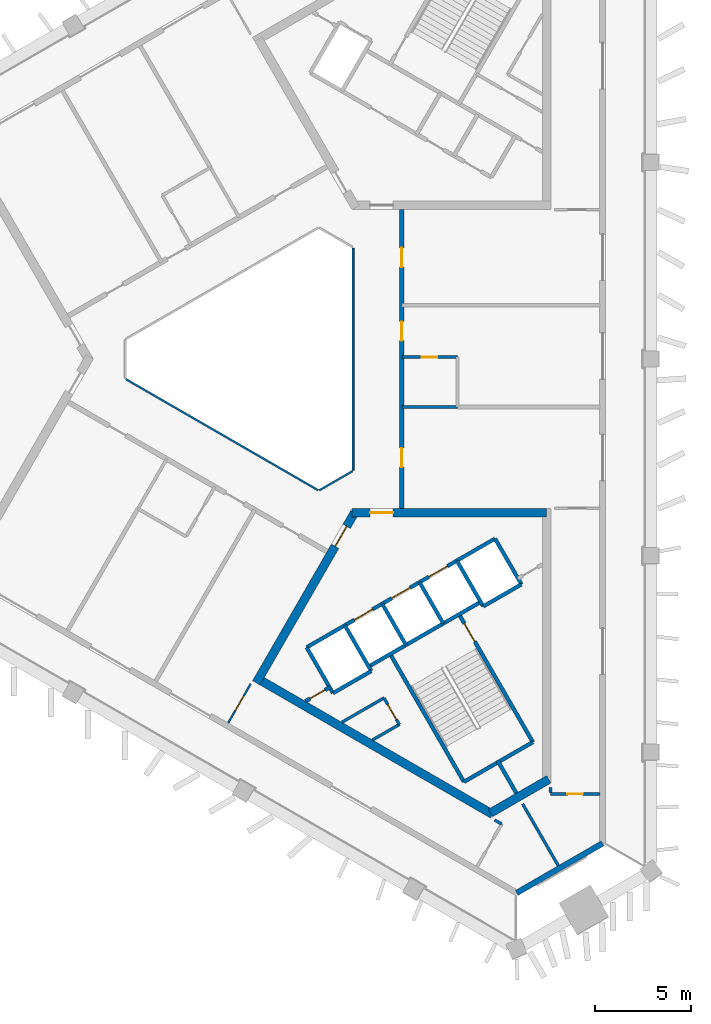
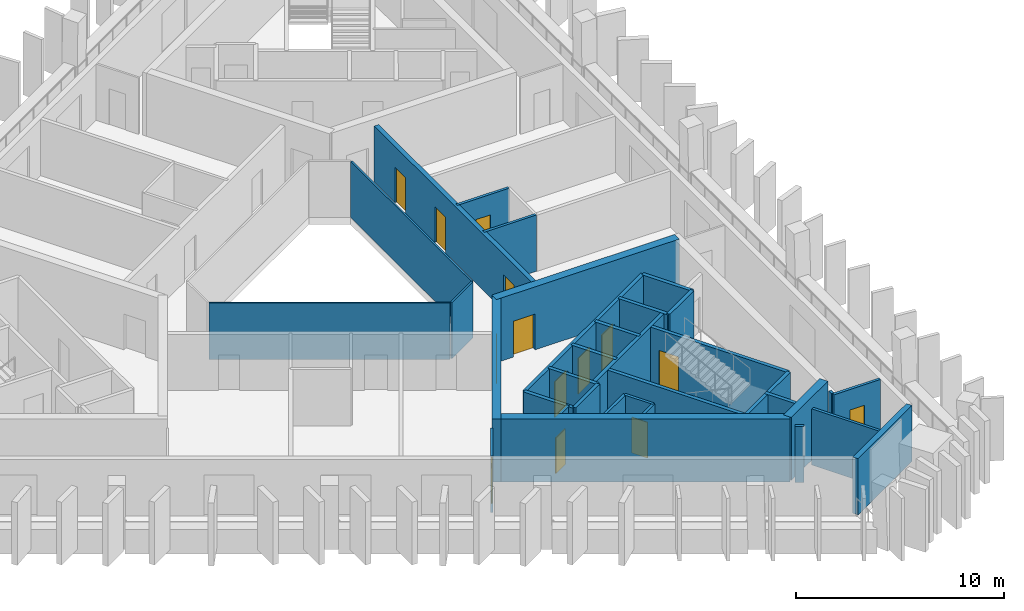
# One storey, part 3 of 9: 34 walls, 14 doors, 14 openings.
"""IFC4 building model written with IfcOpenShell, lengths in metres."""

from ifc_helpers import new_model, si_unit, direction, frame, frame_2d, origin, place, context, subcontext, project, spatial, rectangle, extrude, material, layer, layer_set, type_object, element, fill, save


model = new_model("IFC4")

# Units and contexts
model_context = context("Model", 3, precision=1e-05, world=origin(), true_north=direction((0.0, 1.0)))
body_context = subcontext(model_context, "Body", "Model", "MODEL_VIEW")
ifc_project = project(units=[si_unit("LENGTHUNIT", "METRE"), si_unit("AREAUNIT", "SQUARE_METRE"), si_unit("VOLUMEUNIT", "CUBIC_METRE"), si_unit("PLANEANGLEUNIT", "RADIAN"), si_unit("MASSUNIT", "GRAM", prefix="KILO")], contexts=[model_context])

# Site, building, storey
site_placement = place(None, origin())
site = spatial("IfcSite", under=ifc_project, at=site_placement, CompositionType="ELEMENT")
building_placement = place(site_placement, origin())
building = spatial("IfcBuilding", under=site, at=building_placement, Name="Jabali Bay Hotel Tower and Convention Centre", CompositionType="ELEMENT")
storey_placement = place(building_placement, frame((0.0, 0.0, 224.300048828125)))
storey = spatial("IfcBuildingStorey", under=building, at=storey_placement, Name="L55", CompositionType="ELEMENT", Elevation=224.300048828125)

# Walls
ifc_material_1 = material(Name="Fire-resistant glazing", Category="glass")
ifc_layer_1 = layer(ifc_material_1, 0.10009765625)
ifc_layer_set_1 = layer_set([ifc_layer_1], Name="Fire-resistant glazing")
wall_type_1 = type_object("IfcWallType", Name="Atrium glazed screen 100", PredefinedType="PARTITIONING", material=ifc_layer_set_1)
for number, where, z_axis, x_axis, name in (
    (1, (79.56005859375, 74.205810546875, 0.0), (0.0, 0.0, 1.0), (0.0, 1.0, 0.0), "Atrium screen 1 L55"),
    (2, (67.7021484375, 78.947998046875, 0.0), (0.0, 0.0, 1.0), (0.866026658274, -0.499997827154, 0.0), "Atrium screen 5 L55"),
):
    element("IfcWall", number, at=place(storey_placement, frame(where, z_axis=z_axis, x_axis=x_axis)), inside=storey, type_object=wall_type_1, Name=name, PredefinedType="PARTITIONING", context=body_context, shape_type="SweptSolid", body=[
        extrude(rectangle(XDim=11.58837890625, YDim=0.10009765625, at=frame_2d((5.794189453125, 0.0))), origin(), (0.0, 0.0, 1.0), 3.300048828125),
    ])
wall_1_placement = place(storey_placement, frame((77.7978515625, 73.15380859375, 0.0), z_axis=(0.0, 0.0, 1.0), x_axis=(0.866041268327, 0.499972520799, 0.0)))
element("IfcWall", 3, at=wall_1_placement, inside=storey, type_object=wall_type_1, Name="Atrium screen 6 L55", PredefinedType="PARTITIONING", context=body_context, shape_type="SweptSolid", body=[
    extrude(rectangle(XDim=2.0, YDim=0.10009765625, at=frame_2d((1.0, 0.0))), origin(), (0.0, 0.0, 1.0), 3.300048828125),
])
ifc_material_2 = material(Name="Concrete C40", Category="concrete")
ifc_layer_2 = layer(ifc_material_2, 0.199951171875)
ifc_layer_set_2 = layer_set([ifc_layer_2], Name="Concrete C40")
wall_type_2 = type_object("IfcWallType", Name="Core partition wall 200", PredefinedType="PARTITIONING", material=ifc_layer_set_2)
wall_2_placement = place(storey_placement, frame((87.090087890625, 59.0595703125, 0.0), z_axis=(0.0, 0.0, 1.0), x_axis=(0.500011643316, -0.866018681408, 0.0)))
element("IfcWall", 4, at=wall_2_placement, inside=storey, type_object=wall_type_2, Name="Core wall 2.5 L55", PredefinedType="PARTITIONING", context=body_context, shape_type="SweptSolid", body=[
    extrude(rectangle(XDim=1.97314453125, YDim=0.199951171875, at=frame_2d((0.986572265625, 0.0))), origin(), (0.0, 0.0, 1.0), 3.300048828125),
])

# Wall, opening, door
wall_3_placement = place(storey_placement, frame((77.070068359375, 62.142578125, 0.0), z_axis=(0.0, 0.0, 1.0), x_axis=(0.866013036001, 0.500021421018, 0.0)))
wall_3 = element("IfcWall", 5, at=wall_3_placement, inside=storey, type_object=wall_type_2, Name="Core wall 2.11 L55", PredefinedType="PARTITIONING", context=body_context, shape_type="SweptSolid", body=[
    extrude(rectangle(XDim=1.4609375, YDim=0.199951171875, at=frame_2d((0.73046875, 0.0))), origin(), (0.0, 0.0, 1.0), 3.300048828125),
])
opening_1_placement = place(wall_3_placement, frame((0.280517578125, 0.0, 0.0)))
opening_1 = element("IfcOpeningElement", 6, at=opening_1_placement, cuts=wall_3, Name="Opening D1207", PredefinedType="OPENING", context=body_context, shape_type="SweptSolid", body=[
    extrude(rectangle(XDim=0.89990234375, YDim=2.10009765625, at=frame_2d((0.449951171875, 1.050048828125))), frame((0.0, 0.1103515625, 0.0), z_axis=(0.0, -1.0, 0.0), x_axis=(1.0, 0.0, 0.0)), (0.0, 0.0, 1.0), 0.220947265625),
])
ifc_material_3 = material(Name="Fire-rated steel door", Category="steel")
door_type_1 = type_object("IfcDoorType", Name="Vestibule fire door 900 x 2100", OperationType="NOTDEFINED", PredefinedType="NOTDEFINED", material=ifc_material_3)
door_1_placement = place(opening_1_placement, origin())
door_1 = element("IfcDoor", 7, at=door_1_placement, inside=storey, type_object=door_type_1, Name="Vestibule fire door D1207", OperationType="SINGLE_SWING_LEFT", OverallHeight=2.10009765625, OverallWidth=0.89990234375, PredefinedType="NOTDEFINED", context=body_context, shape_type="SweptSolid", body=[
    extrude(rectangle(XDim=0.89990234375, YDim=2.10009765625, at=frame_2d((0.449951171875, 1.050048828125))), frame((0.0, 0.02490234375, 0.0), z_axis=(0.0, -1.0, 0.0), x_axis=(1.0, 0.0, 0.0)), (0.0, 0.0, 1.0), 0.050048828125),
])
fill(opening_1, door_1)

ifc_material_4 = material(Name="Fire-rated board partition")
ifc_layer_3 = layer(ifc_material_4, 0.14990234375)
ifc_layer_set_3 = layer_set([ifc_layer_3], Name="Fire-rated board partition")
wall_type_3 = type_object("IfcWallType", Name="Core room partition 150", PredefinedType="PARTITIONING", material=ifc_layer_set_3)
wall_4_placement = place(storey_placement, frame((81.1689453125, 62.315185546875, 0.0), z_axis=(0.0, 0.0, 1.0), x_axis=(0.499995408039, -0.866028054938, 0.0)))
wall_4 = element("IfcWall", 8, at=wall_4_placement, inside=storey, type_object=wall_type_3, Name="Core wall 2.1 L55", PredefinedType="PARTITIONING", context=body_context, shape_type="SweptSolid", body=[
    extrude(rectangle(XDim=1.60009765625, YDim=0.14990234375, at=frame_2d((0.800048828125, 0.0))), origin(), (0.0, 0.0, 1.0), 3.300048828125),
])
opening_2_placement = place(wall_4_placement, frame((0.387451171875, 0.0, 0.0)))
opening_2 = element("IfcOpeningElement", 9, at=opening_2_placement, cuts=wall_4, Name="Opening D1209", PredefinedType="OPENING", context=body_context, shape_type="SweptSolid", body=[
    extrude(rectangle(XDim=0.89990234375, YDim=2.10009765625, at=frame_2d((0.449951171875, 1.050048828125))), frame((0.0, 0.08544921875, 0.0), z_axis=(0.0, -1.0, 0.0), x_axis=(1.0, 0.0, 0.0)), (0.0, 0.0, 1.0), 0.1708984375),
])
door_type_2 = type_object("IfcDoorType", Name="Core room door 900 x 2100", OperationType="NOTDEFINED", PredefinedType="NOTDEFINED", material=ifc_material_3)
door_2_placement = place(opening_2_placement, origin())
door_2 = element("IfcDoor", 10, at=door_2_placement, inside=storey, type_object=door_type_2, Name="Core room door D1209", OperationType="SINGLE_SWING_LEFT", OverallHeight=2.10009765625, OverallWidth=0.89990234375, PredefinedType="NOTDEFINED", context=body_context, shape_type="SweptSolid", body=[
    extrude(rectangle(XDim=0.89990234375, YDim=2.10009765625, at=frame_2d((0.449951171875, 1.050048828125))), frame((0.0, 0.02490234375, 0.0), z_axis=(0.0, -1.0, 0.0), x_axis=(1.0, 0.0, 0.0)), (0.0, 0.0, 1.0), 0.050048828125),
])
fill(opening_2, door_2)

# Walls
wall_5_placement = place(storey_placement, frame((78.969970703125, 61.045654296875, 0.0), z_axis=(0.0, 0.0, 1.0), x_axis=(0.866033475577, 0.499986018985, 0.0)))
element("IfcWall", 11, at=wall_5_placement, inside=storey, type_object=wall_type_3, Name="Core wall 2.16 L55", PredefinedType="PARTITIONING", context=body_context, shape_type="SweptSolid", body=[
    extrude(rectangle(XDim=2.5390625, YDim=0.14990234375, at=frame_2d((1.26953125, 0.0))), origin(), (0.0, 0.0, 1.0), 3.300048828125),
])
wall_6_placement = place(storey_placement, frame((80.570068359375, 60.121826171875, 0.0), z_axis=(0.0, 0.0, 1.0), x_axis=(0.866039608017, 0.49997539674, 0.0)))
element("IfcWall", 12, at=wall_6_placement, inside=storey, type_object=wall_type_3, Name="Core wall 2.17 L55", PredefinedType="PARTITIONING", context=body_context, shape_type="SweptSolid", body=[
    extrude(rectangle(XDim=1.615234375, YDim=0.14990234375, at=frame_2d((0.8076171875, 0.0))), origin(), (0.0, 0.0, 1.0), 3.300048828125),
])
ifc_layer_4 = layer(ifc_material_2, 0.199951171875)
ifc_layer_set_4 = layer_set([ifc_layer_4], Name="Concrete C40")
wall_type_4 = type_object("IfcWallType", Name="Core stair wall 200", PredefinedType="SOLIDWALL", material=ifc_layer_set_4)
for number, where, z_axis, x_axis, name in (
    (13, (77.13525390625, 64.95166015625, 0.0), (0.0, 0.0, 1.0), (0.499996545922, -0.866027397988, 0.0), "Core wall 2.0 L55"),
    (14, (79.127197265625, 66.1015625, 0.0), (0.0, 0.0, 1.0), (0.499996545922, -0.866027397988, 0.0), "Core wall 2.2 L55"),
):
    element("IfcWall", number, at=place(storey_placement, frame(where, z_axis=z_axis, x_axis=x_axis)), inside=storey, type_object=wall_type_4, Name=name, PredefinedType="SOLIDWALL", context=body_context, shape_type="SweptSolid", body=[
        extrude(rectangle(XDim=2.75, YDim=0.199951171875, at=frame_2d((1.375, 0.0))), origin(), (0.0, 0.0, 1.0), 3.300048828125),
    ])
wall_7_placement = place(storey_placement, frame((81.492919921875, 64.603759765625, 0.0), z_axis=(0.0, 0.0, 1.0), x_axis=(0.500006057782, -0.866021906294, 0.0)))
element("IfcWall", 15, at=wall_7_placement, inside=storey, type_object=wall_type_4, Name="Core wall 2.3 L55", PredefinedType="SOLIDWALL", context=body_context, shape_type="SweptSolid", body=[
    extrude(rectangle(XDim=7.7001953125, YDim=0.199951171875, at=frame_2d((3.85009765625, 0.0))), origin(), (0.0, 0.0, 1.0), 3.300048828125),
])
for number, where, z_axis, x_axis, name in (
    (16, (81.07568359375, 67.2265625, 0.0), (0.0, 0.0, 1.0), (0.50000366821, -0.866023285932, 0.0), "Core wall 2.4 L55"),
    (17, (83.024169921875, 68.3515625, 0.0), (0.0, 0.0, 1.0), (0.50000366821, -0.866023285932, 0.0), "Core wall 2.6 L55"),
):
    element("IfcWall", number, at=place(storey_placement, frame(where, z_axis=z_axis, x_axis=x_axis)), inside=storey, type_object=wall_type_4, Name=name, PredefinedType="SOLIDWALL", context=body_context, shape_type="SweptSolid", body=[
        extrude(rectangle(XDim=2.47998046875, YDim=0.199951171875, at=frame_2d((1.239990234375, 0.0))), origin(), (0.0, 0.0, 1.0), 3.300048828125),
    ])

# Wall, opening, door
wall_8_placement = place(storey_placement, frame((85.0869140625, 66.6787109375, 0.0), z_axis=(0.0, 0.0, 1.0), x_axis=(0.500019787375, -0.866013979237, 0.0)))
wall_8 = element("IfcWall", 18, at=wall_8_placement, inside=storey, type_object=wall_type_4, Name="Core wall 2.7 L55", PredefinedType="SOLIDWALL", context=body_context, shape_type="SweptSolid", body=[
    extrude(rectangle(XDim=7.699951171875, YDim=0.199951171875, at=frame_2d((3.85009765625, 0.0))), origin(), (0.0, 0.0, 1.0), 3.300048828125),
])
opening_3_placement = place(wall_8_placement, frame((0.550048828125, 0.0, 0.0)))
opening_3 = element("IfcOpeningElement", 19, at=opening_3_placement, cuts=wall_8, Name="Opening D1208", PredefinedType="OPENING", context=body_context, shape_type="SweptSolid", body=[
    extrude(rectangle(XDim=1.10009765625, YDim=2.10009765625, at=frame_2d((0.550048828125, 1.050048828125))), frame((0.0, 0.1103515625, 0.0), z_axis=(0.0, -1.0, 0.0), x_axis=(1.0, 0.0, 0.0)), (0.0, 0.0, 1.0), 0.220947265625),
])
door_type_3 = type_object("IfcDoorType", Name="Stair fire door 1100 x 2100", OperationType="NOTDEFINED", PredefinedType="NOTDEFINED", material=ifc_material_3)
door_3_placement = place(opening_3_placement, origin())
door_3 = element("IfcDoor", 20, at=door_3_placement, inside=storey, type_object=door_type_3, Name="Stair fire door D1208", OperationType="SINGLE_SWING_RIGHT", OverallHeight=2.10009765625, OverallWidth=1.10009765625, PredefinedType="NOTDEFINED", context=body_context, shape_type="SweptSolid", body=[
    extrude(rectangle(XDim=1.10009765625, YDim=2.10009765625, at=frame_2d((0.550048828125, 1.050048828125))), frame((0.0, 0.02490234375, 0.0), z_axis=(0.0, -1.0, 0.0), x_axis=(1.0, 0.0, 0.0)), (0.0, 0.0, 1.0), 0.050048828125),
])
fill(opening_3, door_3)

# Walls
for number, where, z_axis, x_axis, name in (
    (21, (84.972900390625, 69.4765625, 0.0), (0.0, 0.0, 1.0), (0.499996545922, -0.866027397988, 0.0), "Core wall 2.8 L55"),
    (22, (86.964599609375, 70.62646484375, 0.0), (0.0, 0.0, 1.0), (0.499996545922, -0.866027397988, 0.0), "Core wall 2.9 L55"),
):
    element("IfcWall", number, at=place(storey_placement, frame(where, z_axis=z_axis, x_axis=x_axis)), inside=storey, type_object=wall_type_4, Name=name, PredefinedType="SOLIDWALL", context=body_context, shape_type="SweptSolid", body=[
        extrude(rectangle(XDim=2.75, YDim=0.199951171875, at=frame_2d((1.375, 0.0))), origin(), (0.0, 0.0, 1.0), 3.300048828125),
    ])

# Wall, openings, doors
wall_9_placement = place(storey_placement, frame((77.13525390625, 64.95166015625, 0.0), z_axis=(0.0, 0.0, 1.0), x_axis=(0.866031916153, 0.499988720078, 0.0)))
wall_9 = element("IfcWall", 23, at=wall_9_placement, inside=storey, type_object=wall_type_4, Name="Core wall 2.10 L55", PredefinedType="SOLIDWALL", context=body_context, shape_type="SweptSolid", body=[
    extrude(rectangle(XDim=11.349853515625, YDim=0.199951171875, at=frame_2d((5.6748046875, 0.0))), origin(), (0.0, 0.0, 1.0), 3.300048828125),
])
opening_4_placement = place(wall_9_placement, frame((2.875, 0.0, 0.0)))
opening_4 = element("IfcOpeningElement", 24, at=opening_4_placement, cuts=wall_9, Name="Opening LD12-L55", PredefinedType="OPENING", context=body_context, shape_type="SweptSolid", body=[
    extrude(rectangle(XDim=1.10009765625, YDim=2.10009765625, at=frame_2d((0.550048828125, 1.050048828125))), frame((0.0, 0.1103515625, 0.0), z_axis=(0.0, -1.0, 0.0), x_axis=(1.0, 0.0, 0.0)), (0.0, 0.0, 1.0), 0.220947265625),
])
opening_5_placement = place(wall_9_placement, frame((5.125, 0.0, 0.0)))
opening_5 = element("IfcOpeningElement", 25, at=opening_5_placement, cuts=wall_9, Name="Opening LD13-L55", PredefinedType="OPENING", context=body_context, shape_type="SweptSolid", body=[
    extrude(rectangle(XDim=1.10009765625, YDim=2.10009765625, at=frame_2d((0.550048828125, 1.050048828125))), frame((0.0, 0.1103515625, 0.0), z_axis=(0.0, -1.0, 0.0), x_axis=(1.0, 0.0, 0.0)), (0.0, 0.0, 1.0), 0.220947265625),
])
opening_6_placement = place(wall_9_placement, frame((7.375, 0.0, 0.0)))
opening_6 = element("IfcOpeningElement", 26, at=opening_6_placement, cuts=wall_9, Name="Opening LD14-L55", PredefinedType="OPENING", context=body_context, shape_type="SweptSolid", body=[
    extrude(rectangle(XDim=1.10009765625, YDim=2.10009765625, at=frame_2d((0.550048828125, 1.050048828125))), frame((0.0, 0.1103515625, 0.0), z_axis=(0.0, -1.0, 0.0), x_axis=(1.0, 0.0, 0.0)), (0.0, 0.0, 1.0), 0.220947265625),
])
ifc_material_5 = material(Name="Stainless steel landing door", Category="steel")
door_type_4 = type_object("IfcDoorType", Name="Landing door 1100 x 2100", OperationType="NOTDEFINED", PredefinedType="NOTDEFINED", material=ifc_material_5)
door_4_placement = place(opening_4_placement, origin())
door_4 = element("IfcDoor", 27, at=door_4_placement, inside=storey, type_object=door_type_4, Name="Landing doors LD12-L55", OperationType="SLIDING_TO_LEFT", OverallHeight=2.10009765625, OverallWidth=1.10009765625, PredefinedType="NOTDEFINED", context=body_context, shape_type="SweptSolid", body=[
    extrude(rectangle(XDim=1.10009765625, YDim=2.10009765625, at=frame_2d((0.550048828125, 1.050048828125))), frame((0.0, 0.02490234375, 0.0), z_axis=(0.0, -1.0, 0.0), x_axis=(1.0, 0.0, 0.0)), (0.0, 0.0, 1.0), 0.050048828125),
])
fill(opening_4, door_4)
door_5_placement = place(opening_5_placement, origin())
door_5 = element("IfcDoor", 28, at=door_5_placement, inside=storey, type_object=door_type_4, Name="Landing doors LD13-L55", OperationType="SLIDING_TO_RIGHT", OverallHeight=2.10009765625, OverallWidth=1.10009765625, PredefinedType="NOTDEFINED", context=body_context, shape_type="SweptSolid", body=[
    extrude(rectangle(XDim=1.10009765625, YDim=2.10009765625, at=frame_2d((0.550048828125, 1.050048828125))), frame((0.0, 0.02490234375, 0.0), z_axis=(0.0, -1.0, 0.0), x_axis=(1.0, 0.0, 0.0)), (0.0, 0.0, 1.0), 0.050048828125),
])
fill(opening_5, door_5)
door_6_placement = place(opening_6_placement, origin())
door_6 = element("IfcDoor", 29, at=door_6_placement, inside=storey, type_object=door_type_4, Name="Landing doors LD14-L55", OperationType="SLIDING_TO_LEFT", OverallHeight=2.10009765625, OverallWidth=1.10009765625, PredefinedType="NOTDEFINED", context=body_context, shape_type="SweptSolid", body=[
    extrude(rectangle(XDim=1.10009765625, YDim=2.10009765625, at=frame_2d((0.550048828125, 1.050048828125))), frame((0.0, 0.02490234375, 0.0), z_axis=(0.0, -1.0, 0.0), x_axis=(1.0, 0.0, 0.0)), (0.0, 0.0, 1.0), 0.050048828125),
])
fill(opening_6, door_6)

# Walls
wall_10_placement = place(storey_placement, frame((80.3671875, 63.953857421875, 0.0), z_axis=(0.0, 0.0, 1.0), x_axis=(0.866026575979, 0.499997969693, 0.0)))
element("IfcWall", 30, at=wall_10_placement, inside=storey, type_object=wall_type_4, Name="Core wall 2.13 L55", PredefinedType="SOLIDWALL", context=body_context, shape_type="SweptSolid", body=[
    extrude(rectangle(XDim=6.75, YDim=0.199951171875, at=frame_2d((3.375, 0.0))), origin(), (0.0, 0.0, 1.0), 3.300048828125),
])
wall_11_placement = place(storey_placement, frame((78.51025390625, 62.570068359375, 0.0), z_axis=(0.0, 0.0, 1.0), x_axis=(0.866053019151, 0.499952165731, 0.0)))
element("IfcWall", 31, at=wall_11_placement, inside=storey, type_object=wall_type_4, Name="Core wall 2.14 L55", PredefinedType="SOLIDWALL", context=body_context, shape_type="SweptSolid", body=[
    extrude(rectangle(XDim=2.300048828125, YDim=0.199951171875, at=frame_2d((1.14990234375, 0.0))), origin(), (0.0, 0.0, 1.0), 3.300048828125),
])
wall_12_placement = place(storey_placement, frame((86.347900390625, 67.094970703125, 0.0), z_axis=(0.0, 0.0, 1.0), x_axis=(0.86602648383, 0.499998129301, 0.0)))
element("IfcWall", 32, at=wall_12_placement, inside=storey, type_object=wall_type_4, Name="Core wall 2.15 L55", PredefinedType="SOLIDWALL", context=body_context, shape_type="SweptSolid", body=[
    extrude(rectangle(XDim=2.2998046875, YDim=0.199951171875, at=frame_2d((1.14990234375, 0.0))), origin(), (0.0, 0.0, 1.0), 3.300048828125),
])
wall_13_placement = place(storey_placement, frame((85.343017578125, 57.935302734375, 0.0), z_axis=(0.0, 0.0, 1.0), x_axis=(0.866004344652, 0.500036473714, 0.0)))
element("IfcWall", 33, at=wall_13_placement, inside=storey, type_object=wall_type_4, Name="Core wall 2.18 L55", PredefinedType="SOLIDWALL", context=body_context, shape_type="SweptSolid", body=[
    extrude(rectangle(XDim=4.150146484375, YDim=0.199951171875, at=frame_2d((2.0751953125, 0.0))), origin(), (0.0, 0.0, 1.0), 3.300048828125),
])

# Wall, opening, door
ifc_material_6 = material(Name="Concrete C60", Category="concrete")
ifc_layer_5 = layer(ifc_material_6, 0.449951171875)
ifc_layer_set_5 = layer_set([ifc_layer_5], Name="Concrete C60")
wall_type_5 = type_object("IfcWallType", Name="Core wall 450", PredefinedType="SHEAR", material=ifc_layer_set_5)
wall_14_placement = place(storey_placement, frame((79.6298828125, 71.980712890625, 0.0), z_axis=(0.0, 0.0, 1.0), x_axis=(-0.500002171595, -0.86602415001, 0.0)))
wall_14 = element("IfcWall", 34, at=wall_14_placement, inside=storey, type_object=wall_type_5, Name="Core wall 3.1 L55", PredefinedType="SHEAR", context=body_context, shape_type="SweptSolid", body=[
    extrude(rectangle(XDim=10.25, YDim=0.449951171875, at=frame_2d((5.125, 0.0))), origin(), (0.0, 0.0, 1.0), 3.699951171875),
])
opening_7_placement = place(wall_14_placement, frame((0.820068359375, 0.0, 0.0)))
opening_7 = element("IfcOpeningElement", 35, at=opening_7_placement, cuts=wall_14, Name="Opening D1204", PredefinedType="OPENING", context=body_context, shape_type="SweptSolid", body=[
    extrude(rectangle(XDim=1.199951171875, YDim=2.10009765625, at=frame_2d((0.60009765625, 1.050048828125))), frame((0.0, 0.2353515625, 0.0), z_axis=(0.0, -1.0, 0.0), x_axis=(1.0, 0.0, 0.0)), (0.0, 0.0, 1.0), 0.470947265625),
])
door_type_5 = type_object("IfcDoorType", Name="Corridor end fire door 1200 x 2100", OperationType="NOTDEFINED", PredefinedType="NOTDEFINED", material=ifc_material_3)
door_7_placement = place(opening_7_placement, origin())
door_7 = element("IfcDoor", 36, at=door_7_placement, inside=storey, type_object=door_type_5, Name="Corridor end fire door D1204", OperationType="SINGLE_SWING_RIGHT", OverallHeight=2.10009765625, OverallWidth=1.199951171875, PredefinedType="NOTDEFINED", context=body_context, shape_type="SweptSolid", body=[
    extrude(rectangle(XDim=1.199951171875, YDim=2.10009765625, at=frame_2d((0.60009765625, 1.050048828125))), frame((0.0, 0.02490234375, 0.0), z_axis=(0.0, -1.0, 0.0), x_axis=(1.0, 0.0, 0.0)), (0.0, 0.0, 1.0), 0.050048828125),
])
fill(opening_7, door_7)

# Walls
wall_15_placement = place(storey_placement, frame((74.617431640625, 63.298828125, 0.0), z_axis=(0.0, 0.0, 1.0), x_axis=(0.86602594008, -0.499999071108, 0.0)))
element("IfcWall", 37, at=wall_15_placement, inside=storey, type_object=wall_type_5, Name="Core wall 3.2 L55", PredefinedType="SHEAR", context=body_context, shape_type="SweptSolid", body=[
    extrude(rectangle(XDim=14.1083984375, YDim=0.449951171875, at=frame_2d((7.05419921875, 0.0))), origin(), (0.0, 0.0, 1.0), 3.699951171875),
])
wall_16_placement = place(storey_placement, frame((86.72314453125, 56.3095703125, 0.0), z_axis=(0.0, 0.0, 1.0), x_axis=(0.866042179588, 0.49997094233, 0.0)))
element("IfcWall", 38, at=wall_16_placement, inside=storey, type_object=wall_type_5, Name="Core wall 3.3 L55", PredefinedType="SHEAR", context=body_context, shape_type="SweptSolid", body=[
    extrude(rectangle(XDim=3.515380859375, YDim=0.449951171875, at=frame_2d((1.7578125, 0.0))), origin(), (0.0, 0.0, 1.0), 3.699951171875),
])

# Wall, opening, door
wall_17_placement = place(storey_placement, frame((89.655029296875, 71.980712890625, 0.0), z_axis=(0.0, 0.0, 1.0), x_axis=(-1.0, 0.0, 0.0)))
wall_17 = element("IfcWall", 39, at=wall_17_placement, inside=storey, type_object=wall_type_5, Name="Core wall 3.5 L55", PredefinedType="SHEAR", context=body_context, shape_type="SweptSolid", body=[
    extrude(rectangle(XDim=10.155029296875, YDim=0.449951171875, at=frame_2d((5.07763671875, 0.0))), origin(), (0.0, 0.0, 1.0), 3.699951171875),
])
opening_8_placement = place(wall_17_placement, frame((8.0048828125, 0.0, 0.0)))
opening_8 = element("IfcOpeningElement", 40, at=opening_8_placement, cuts=wall_17, Name="Opening D1205", PredefinedType="OPENING", context=body_context, shape_type="SweptSolid", body=[
    extrude(rectangle(XDim=1.199951171875, YDim=2.10009765625, at=frame_2d((0.60009765625, 1.050048828125))), frame((0.0, 0.2353515625, 0.0), z_axis=(0.0, -1.0, 0.0), x_axis=(1.0, 0.0, 0.0)), (0.0, 0.0, 1.0), 0.470947265625),
])
door_8_placement = place(opening_8_placement, origin())
door_8 = element("IfcDoor", 41, at=door_8_placement, inside=storey, type_object=door_type_5, Name="Corridor end fire door D1205", OperationType="SINGLE_SWING_LEFT", OverallHeight=2.10009765625, OverallWidth=1.199951171875, PredefinedType="NOTDEFINED", context=body_context, shape_type="SweptSolid", body=[
    extrude(rectangle(XDim=1.199951171875, YDim=2.10009765625, at=frame_2d((0.60009765625, 1.050048828125))), frame((0.0, 0.02490234375, 0.0), z_axis=(0.0, -1.0, 0.0), x_axis=(1.0, 0.0, 0.0)), (0.0, 0.0, 1.0), 0.050048828125),
])
fill(opening_8, door_8)

# Wall, openings, doors
ifc_layer_6 = layer(ifc_material_6, 0.25)
ifc_layer_set_6 = layer_set([ifc_layer_6], Name="Concrete C60")
wall_type_6 = type_object("IfcWallType", Name="Corridor wall 250", PredefinedType="SHEAR", material=ifc_layer_set_6)
wall_18_placement = place(storey_placement, frame((82.10009765625, 72.205810546875, 0.0), z_axis=(0.0, 0.0, 1.0), x_axis=(0.0, 1.0, 0.0)))
wall_18 = element("IfcWall", 42, at=wall_18_placement, inside=storey, type_object=wall_type_6, Name="Corridor wall 1 L55", PredefinedType="SHEAR", context=body_context, shape_type="SweptSolid", body=[
    extrude(rectangle(XDim=15.58837890625, YDim=0.25, at=frame_2d((7.794189453125, 0.0))), origin(), (0.0, 0.0, 1.0), 3.300048828125),
])
opening_9_placement = place(wall_18_placement, frame((2.14990234375, 0.0, 0.0)))
opening_9 = element("IfcOpeningElement", 43, at=opening_9_placement, cuts=wall_18, Name="Opening 5501", PredefinedType="OPENING", context=body_context, shape_type="SweptSolid", body=[
    extrude(rectangle(XDim=1.0, YDim=2.10009765625, at=frame_2d((0.5, 1.050048828125))), frame((0.0, 0.135498046875, 0.0), z_axis=(0.0, -1.0, 0.0), x_axis=(1.0, 0.0, 0.0)), (0.0, 0.0, 1.0), 0.27099609375),
])
opening_10_placement = place(wall_18_placement, frame((8.75, 0.0, 0.0)))
opening_10 = element("IfcOpeningElement", 44, at=opening_10_placement, cuts=wall_18, Name="Opening 5505", PredefinedType="OPENING", context=body_context, shape_type="SweptSolid", body=[
    extrude(rectangle(XDim=1.0, YDim=2.10009765625, at=frame_2d((0.5, 1.050048828125))), frame((0.0, 0.135498046875, 0.0), z_axis=(0.0, -1.0, 0.0), x_axis=(1.0, 0.0, 0.0)), (0.0, 0.0, 1.0), 0.27099609375),
])
opening_11_placement = place(wall_18_placement, frame((12.59423828125, 0.0, 0.0)))
opening_11 = element("IfcOpeningElement", 45, at=opening_11_placement, cuts=wall_18, Name="Opening 5506", PredefinedType="OPENING", context=body_context, shape_type="SweptSolid", body=[
    extrude(rectangle(XDim=1.0, YDim=2.10009765625, at=frame_2d((0.5, 1.050048828125))), frame((0.0, 0.135498046875, 0.0), z_axis=(0.0, -1.0, 0.0), x_axis=(1.0, 0.0, 0.0)), (0.0, 0.0, 1.0), 0.27099609375),
])
ifc_material_7 = material(Name="Timber", Category="wood")
door_type_6 = type_object("IfcDoorType", Name="Guest room door 1000 x 2100", OperationType="NOTDEFINED", PredefinedType="NOTDEFINED", material=ifc_material_7)
door_9_placement = place(opening_9_placement, origin())
door_9 = element("IfcDoor", 46, at=door_9_placement, inside=storey, type_object=door_type_6, Name="Door 5501", OperationType="SINGLE_SWING_LEFT", OverallHeight=2.10009765625, OverallWidth=1.0, PredefinedType="NOTDEFINED", context=body_context, shape_type="SweptSolid", body=[
    extrude(rectangle(XDim=1.0, YDim=2.10009765625, at=frame_2d((0.5, 1.050048828125))), frame((0.0, 0.02490234375, 0.0), z_axis=(0.0, -1.0, 0.0), x_axis=(1.0, 0.0, 0.0)), (0.0, 0.0, 1.0), 0.050048828125),
])
fill(opening_9, door_9)
door_10_placement = place(opening_10_placement, origin())
door_10 = element("IfcDoor", 47, at=door_10_placement, inside=storey, type_object=door_type_6, Name="Door 5505", OperationType="SINGLE_SWING_RIGHT", OverallHeight=2.10009765625, OverallWidth=1.0, PredefinedType="NOTDEFINED", context=body_context, shape_type="SweptSolid", body=[
    extrude(rectangle(XDim=1.0, YDim=2.10009765625, at=frame_2d((0.5, 1.050048828125))), frame((0.0, 0.02490234375, 0.0), z_axis=(0.0, -1.0, 0.0), x_axis=(1.0, 0.0, 0.0)), (0.0, 0.0, 1.0), 0.050048828125),
])
fill(opening_10, door_10)
door_11_placement = place(opening_11_placement, origin())
door_11 = element("IfcDoor", 48, at=door_11_placement, inside=storey, type_object=door_type_6, Name="Door 5506", OperationType="SINGLE_SWING_RIGHT", OverallHeight=2.10009765625, OverallWidth=1.0, PredefinedType="NOTDEFINED", context=body_context, shape_type="SweptSolid", body=[
    extrude(rectangle(XDim=1.0, YDim=2.10009765625, at=frame_2d((0.5, 1.050048828125))), frame((0.0, 0.02490234375, 0.0), z_axis=(0.0, -1.0, 0.0), x_axis=(1.0, 0.0, 0.0)), (0.0, 0.0, 1.0), 0.050048828125),
])
fill(opening_11, door_11)

# Wall
ifc_layer_7 = layer(ifc_material_2, 0.300048828125)
ifc_layer_set_7 = layer_set([ifc_layer_7], Name="Concrete C40")
wall_type_7 = type_object("IfcWallType", Name="External wall 300", PredefinedType="SOLIDWALL", material=ifc_layer_set_7)
wall_19_placement = place(storey_placement, frame((92.577392578125, 54.726318359375, 0.0), z_axis=(0.0, 0.0, 1.0), x_axis=(-0.866032272612, -0.499988102653, 0.0)))
element("IfcWall", 49, at=wall_19_placement, inside=storey, type_object=wall_type_7, Name="External wall south-east chamfer L55", PredefinedType="SOLIDWALL", context=body_context, shape_type="SweptSolid", body=[
    extrude(rectangle(XDim=5.171142578125, YDim=0.300048828125, at=frame_2d((2.58544921875, 0.0))), origin(), (0.0, 0.0, 1.0), 3.300048828125),
])

# Wall, opening, door
ifc_material_8 = material(Name="Plasterboard on steel stud", Category="steel")
ifc_layer_8 = layer(ifc_material_8, 0.10009765625)
ifc_layer_set_8 = layer_set([ifc_layer_8], Name="Plasterboard on steel stud")
wall_type_8 = type_object("IfcWallType", Name="Partition 100 unit", PredefinedType="PARTITIONING", material=ifc_layer_set_8)
wall_20_placement = place(storey_placement, frame((73.035888671875, 61.009521484375, 0.0), z_axis=(0.0, 0.0, 1.0), x_axis=(0.499950341091, 0.86605407247, 0.0)))
wall_20 = element("IfcWall", 50, at=wall_20_placement, inside=storey, type_object=wall_type_8, Name="Partition P02 L55 034", PredefinedType="PARTITIONING", context=body_context, shape_type="SweptSolid", body=[
    extrude(rectangle(XDim=2.349365234375, YDim=0.10009765625, at=frame_2d((1.1748046875, 0.0))), origin(), (0.0, 0.0, 1.0), 3.300048828125),
])
opening_12_placement = place(wall_20_placement, frame((0.72509765625, 0.0, 0.0)))
opening_12 = element("IfcOpeningElement", 51, at=opening_12_placement, cuts=wall_20, Name="Opening 5523", PredefinedType="OPENING", context=body_context, shape_type="SweptSolid", body=[
    extrude(rectangle(XDim=0.89990234375, YDim=2.10009765625, at=frame_2d((0.449951171875, 1.050048828125))), frame((0.0, 0.060546875, 0.0), z_axis=(0.0, -1.0, 0.0), x_axis=(1.0, 0.0, 0.0)), (0.0, 0.0, 1.0), 0.12109375),
])
door_type_7 = type_object("IfcDoorType", Name="Internal door 900 x 2100", OperationType="NOTDEFINED", PredefinedType="NOTDEFINED", material=ifc_material_7)
door_12_placement = place(opening_12_placement, origin())
door_12 = element("IfcDoor", 52, at=door_12_placement, inside=storey, type_object=door_type_7, Name="Door 5523", OperationType="SINGLE_SWING_RIGHT", OverallHeight=2.10009765625, OverallWidth=0.89990234375, PredefinedType="NOTDEFINED", context=body_context, shape_type="SweptSolid", body=[
    extrude(rectangle(XDim=0.89990234375, YDim=2.10009765625, at=frame_2d((0.449951171875, 1.050048828125))), frame((0.0, 0.02490234375, 0.0), z_axis=(0.0, -1.0, 0.0), x_axis=(1.0, 0.0, 0.0)), (0.0, 0.0, 1.0), 0.050048828125),
])
fill(opening_12, door_12)

# Walls
ifc_layer_9 = layer(ifc_material_8, 0.14990234375)
ifc_layer_set_9 = layer_set([ifc_layer_9], Name="Plasterboard on steel stud")
wall_type_9 = type_object("IfcWallType", Name="Partition 150 wet", PredefinedType="PARTITIONING", material=ifc_layer_set_9)
wall_21_placement = place(storey_placement, frame((85.0, 77.505859375, 0.0), z_axis=(0.0, 0.0, 1.0), x_axis=(-1.0, 0.0, 0.0)))
element("IfcWall", 53, at=wall_21_placement, inside=storey, type_object=wall_type_9, Name="Partition P03 L55 003", PredefinedType="PARTITIONING", context=body_context, shape_type="SweptSolid", body=[
    extrude(rectangle(XDim=2.89990234375, YDim=0.14990234375, at=frame_2d((1.449951171875, 0.0))), origin(), (0.0, 0.0, 1.0), 3.300048828125),
])
wall_22_placement = place(storey_placement, frame((89.861083984375, 57.631591796875, 0.0), z_axis=(0.0, 0.0, 1.0), x_axis=(0.0, -1.0, 0.0)))
element("IfcWall", 54, at=wall_22_placement, inside=storey, type_object=wall_type_9, Name="Partition P03 L55 004", PredefinedType="PARTITIONING", context=body_context, shape_type="SweptSolid", body=[
    extrude(rectangle(XDim=0.248046875, YDim=0.14990234375, at=frame_2d((0.1240234375, 0.0))), origin(), (0.0, 0.0, 1.0), 3.300048828125),
])

# Wall, opening, door
wall_23_placement = place(storey_placement, frame((89.861083984375, 57.3037109375, 0.0), z_axis=(0.0, 0.0, 1.0), x_axis=(1.0, 0.0, 0.0)))
wall_23 = element("IfcWall", 55, at=wall_23_placement, inside=storey, type_object=wall_type_9, Name="Partition P03 L55 005", PredefinedType="PARTITIONING", context=body_context, shape_type="SweptSolid", body=[
    extrude(rectangle(XDim=2.567138671875, YDim=0.14990234375, at=frame_2d((1.28369140625, 0.0))), origin(), (0.0, 0.0, 1.0), 3.300048828125),
])
opening_13_placement = place(wall_23_placement, frame((0.884033203125, 0.0, 0.0)))
opening_13 = element("IfcOpeningElement", 56, at=opening_13_placement, cuts=wall_23, Name="Opening 5503", PredefinedType="OPENING", context=body_context, shape_type="SweptSolid", body=[
    extrude(rectangle(XDim=0.800048828125, YDim=2.10009765625, at=frame_2d((0.39990234375, 1.050048828125))), frame((0.0, 0.08544921875, 0.0), z_axis=(0.0, -1.0, 0.0), x_axis=(1.0, 0.0, 0.0)), (0.0, 0.0, 1.0), 0.1708984375),
])
door_type_8 = type_object("IfcDoorType", Name="En-suite door 800 x 2100", OperationType="NOTDEFINED", PredefinedType="NOTDEFINED", material=ifc_material_7)
door_13_placement = place(opening_13_placement, origin())
door_13 = element("IfcDoor", 57, at=door_13_placement, inside=storey, type_object=door_type_8, Name="Door 5503", OperationType="SINGLE_SWING_LEFT", OverallHeight=2.10009765625, OverallWidth=0.800048828125, PredefinedType="NOTDEFINED", context=body_context, shape_type="SweptSolid", body=[
    extrude(rectangle(XDim=0.800048828125, YDim=2.10009765625, at=frame_2d((0.39990234375, 1.050048828125))), frame((0.0, 0.02490234375, 0.0), z_axis=(0.0, -1.0, 0.0), x_axis=(1.0, 0.0, 0.0)), (0.0, 0.0, 1.0), 0.050048828125),
])
fill(opening_13, door_13)

# Wall
wall_24_placement = place(storey_placement, frame((88.40185546875, 56.789306640625, 0.0), z_axis=(0.0, 0.0, 1.0), x_axis=(0.499966389646, -0.866044807862, 0.0)))
element("IfcWall", 58, at=wall_24_placement, inside=storey, type_object=wall_type_9, Name="Partition P03 L55 006", PredefinedType="PARTITIONING", context=body_context, shape_type="SweptSolid", body=[
    extrude(rectangle(XDim=3.725341796875, YDim=0.14990234375, at=frame_2d((1.86279296875, 0.0))), origin(), (0.0, 0.0, 1.0), 3.300048828125),
])

# Wall, opening, door
wall_25_placement = place(storey_placement, frame((82.10009765625, 80.10595703125, 0.0), z_axis=(0.0, 0.0, 1.0), x_axis=(1.0, 0.0, 0.0)))
wall_25 = element("IfcWall", 59, at=wall_25_placement, inside=storey, type_object=wall_type_9, Name="Partition P03 L55 007", PredefinedType="PARTITIONING", context=body_context, shape_type="SweptSolid", body=[
    extrude(rectangle(XDim=2.89990234375, YDim=0.14990234375, at=frame_2d((1.449951171875, 0.0))), origin(), (0.0, 0.0, 1.0), 3.300048828125),
])
opening_14_placement = place(wall_25_placement, frame((1.050048828125, 0.0, 0.0)))
opening_14 = element("IfcOpeningElement", 60, at=opening_14_placement, cuts=wall_25, Name="Opening 5504", PredefinedType="OPENING", context=body_context, shape_type="SweptSolid", body=[
    extrude(rectangle(XDim=0.800048828125, YDim=2.10009765625, at=frame_2d((0.39990234375, 1.050048828125))), frame((0.0, 0.08544921875, 0.0), z_axis=(0.0, -1.0, 0.0), x_axis=(1.0, 0.0, 0.0)), (0.0, 0.0, 1.0), 0.1708984375),
])
door_14_placement = place(opening_14_placement, origin())
door_14 = element("IfcDoor", 61, at=door_14_placement, inside=storey, type_object=door_type_8, Name="Door 5504", OperationType="SINGLE_SWING_RIGHT", OverallHeight=2.10009765625, OverallWidth=0.800048828125, PredefinedType="NOTDEFINED", context=body_context, shape_type="SweptSolid", body=[
    extrude(rectangle(XDim=0.800048828125, YDim=2.10009765625, at=frame_2d((0.39990234375, 1.050048828125))), frame((0.0, 0.02490234375, 0.0), z_axis=(0.0, -1.0, 0.0), x_axis=(1.0, 0.0, 0.0)), (0.0, 0.0, 1.0), 0.050048828125),
])
fill(opening_14, door_14)

# Wall
wall_26_placement = place(storey_placement, frame((87.309814453125, 55.73291015625, 0.0), z_axis=(0.0, 0.0, 1.0), x_axis=(-0.8659754619, 0.500086491905, 0.0)))
element("IfcWall", 62, at=wall_26_placement, inside=storey, type_object=wall_type_9, Name="Partition P03 L55 036", PredefinedType="PARTITIONING", context=body_context, shape_type="SweptSolid", body=[
    extrude(rectangle(XDim=0.42578125, YDim=0.14990234375, at=frame_2d((0.212890625, 0.0))), origin(), (0.0, 0.0, 1.0), 3.300048828125),
])

save(model, "model.ifc")
